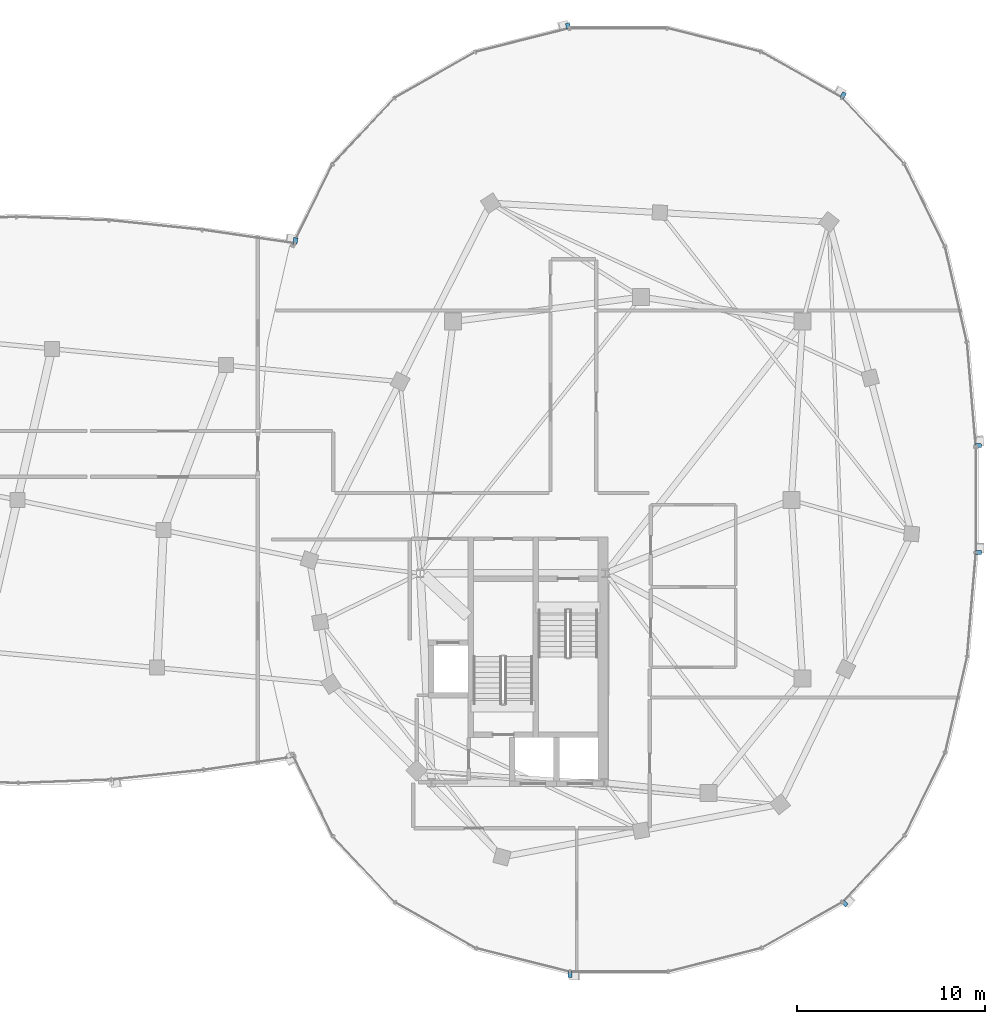
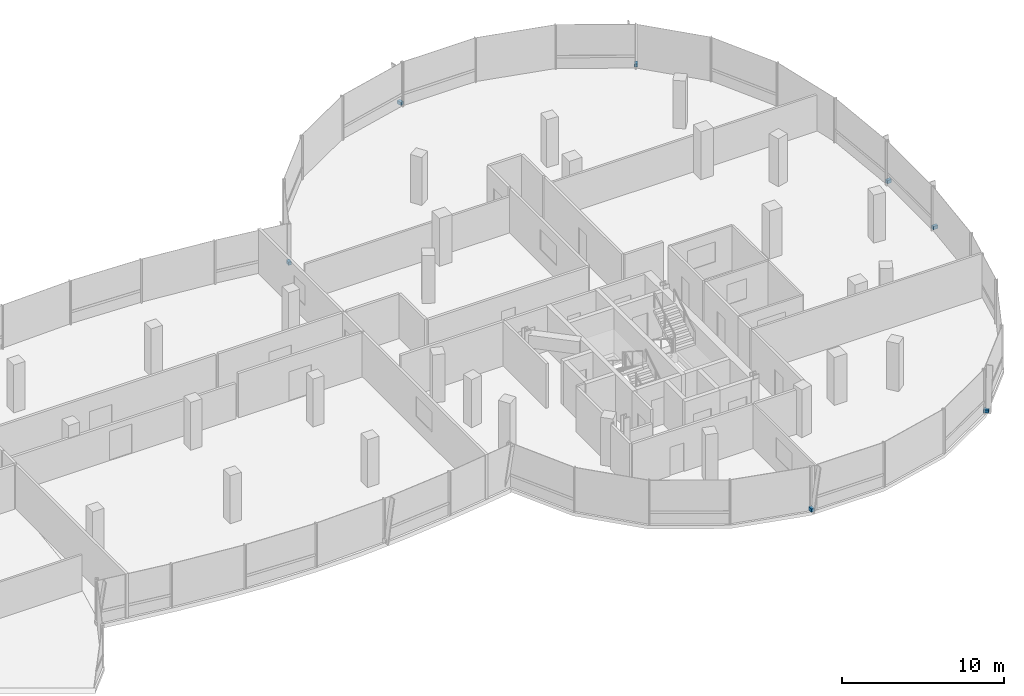
# One storey, part 19 of 25: 7 discrete accessories.
"""IFC4 building model written with IfcOpenShell, lengths in metres."""

from ifc_helpers import new_model, si_unit, direction, frame, origin, origin_2d, place, context, subcontext, project, spatial, rectangle, extrude, material, type_object, element, save


model = new_model("IFC4")

# Units and contexts
model_context = context("Model", 3, precision=1e-05, world=origin(), true_north=direction((0.0, 1.0)))
body_context = subcontext(model_context, "Body", "Model", "MODEL_VIEW")
ifc_project = project(units=[si_unit("LENGTHUNIT", "METRE"), si_unit("AREAUNIT", "SQUARE_METRE"), si_unit("VOLUMEUNIT", "CUBIC_METRE"), si_unit("PLANEANGLEUNIT", "RADIAN"), si_unit("MASSUNIT", "GRAM", prefix="KILO"), si_unit("THERMODYNAMICTEMPERATUREUNIT", "KELVIN"), si_unit("POWERUNIT", "WATT")], contexts=[model_context])

# Site, building, storey
site_placement = place(None, origin())
site = spatial("IfcSite", under=ifc_project, at=site_placement, CompositionType="ELEMENT")
building_placement = place(site_placement, origin())
building = spatial("IfcBuilding", under=site, at=building_placement, Name="Cundina Bronze Exchange", CompositionType="ELEMENT")
storey_placement = place(building_placement, frame((0.0, 0.0, 257.60009765625)))
storey = spatial("IfcBuildingStorey", under=building, at=storey_placement, Name="L68", CompositionType="ELEMENT", Elevation=257.60009765625)

# Discrete accessories
ifc_material = material(Name="Anodised Bronze Aluminium 6063-T6", Category="aluminium")
discrete_accessory_type = type_object("IfcDiscreteAccessoryType", Name="ACC-BRK-FIN", PredefinedType="BRACKET", material=ifc_material)
for number, where, z_axis, x_axis, name in (
    (1, (51.154541015625, 2.897216796875, 0.10009765625), (0.0, 0.0, 1.0), (-0.083747411454, 0.996487015006, 0.0), "L68 Fin Support Bracket 1"),
    (2, (43.958251953125, 21.54150390625, 0.10009765625), (0.0, 0.0, 1.0), (-0.869572506985, 0.493805280547, 0.0), "L68 Fin Support Bracket 5"),
    (3, (29.317626953125, 25.23681640625, 0.10009765625), (0.0, 0.0, 1.0), (-0.969731542251, -0.244173577528, 0.0), "L68 Fin Support Bracket 1"),
    (4, (29.423583984375, -25.25, 0.10009765625), (0.0, 0.0, 1.0), (1.0, 0.0, 0.0), "L68 Fin Support Bracket 5"),
    (5, (44.042236328125, -21.4755859375, 0.10009765625), (0.0, 0.0, 1.0), (0.684343512797, 0.72915976061, 0.0), "L68 Fin Support Bracket 1"),
    (6, (51.158935546875, -2.79150390625, 0.10009765625), (0.0, 0.0, 1.0), (0.0, 1.0, 0.0), "L68 Fin Support Bracket 5"),
    (7, (14.799560546875, 13.79736328125, 0.10009765625), (0.0, 0.0, 1.0), (-0.989528308409, 0.144338930496, 0.0), "L68 Fin Support Bracket 1"),
):
    element("IfcDiscreteAccessory", number, at=place(storey_placement, frame(where, z_axis=z_axis, x_axis=x_axis)), inside=storey, type_object=discrete_accessory_type, Name=name, PredefinedType="BRACKET", context=body_context, shape_type="SweptSolid", body=[
        extrude(rectangle(XDim=0.219970703125, YDim=0.320068359375, at=origin_2d()), origin(), (0.0, 0.0, 1.0), 0.239990234375),
    ])

save(model, "model.ifc")
